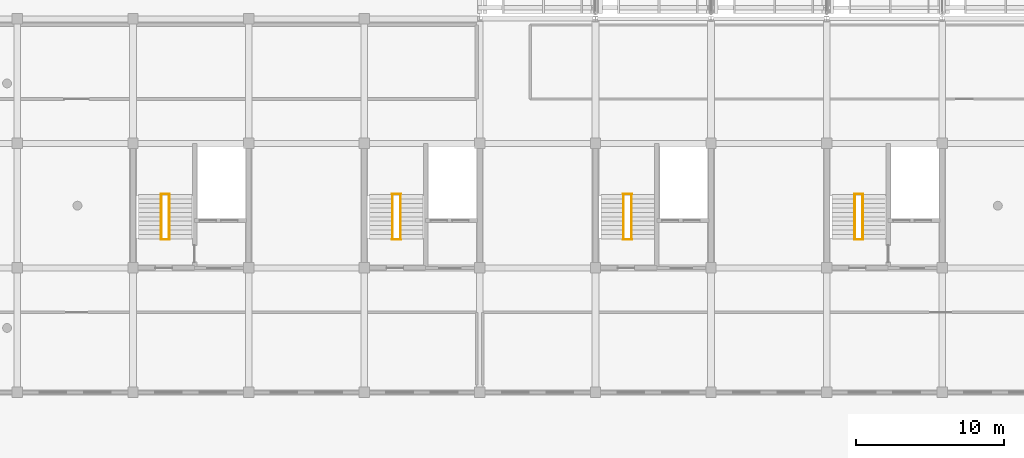
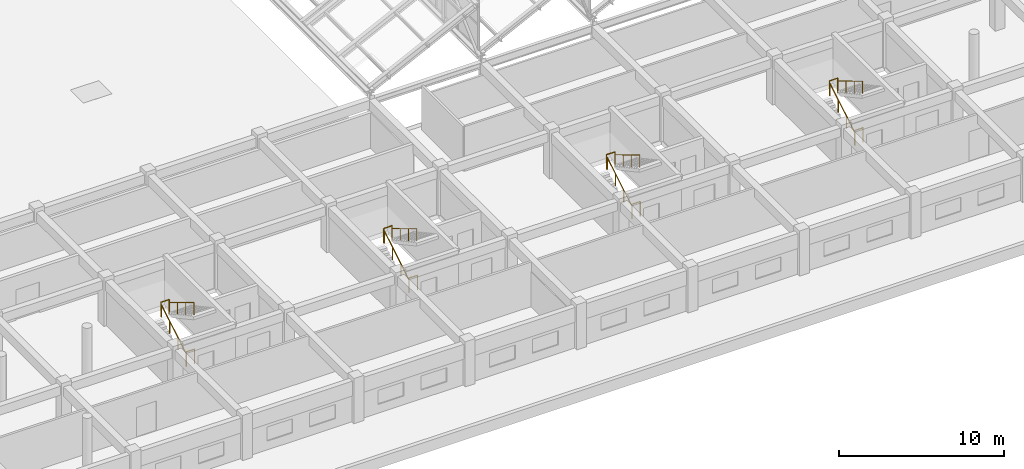
# One storey, part 99 of 101: 16 railings.
"""IFC4 building model written with IfcOpenShell, lengths in metres."""

from ifc_helpers import new_model, si_unit, direction, frame, origin, origin_2d, place, context, subcontext, project, spatial, circle, hollow_circle, extrude, material, material_profile, profile_set, type_object, element, save


model = new_model("IFC4")

# Units and contexts
model_context = context("Model", 3, precision=1e-05, world=origin(), true_north=direction((0.0, 1.0)))
body_context = subcontext(model_context, "Body", "Model", "MODEL_VIEW")
ifc_project = project(units=[si_unit("LENGTHUNIT", "METRE"), si_unit("AREAUNIT", "SQUARE_METRE"), si_unit("VOLUMEUNIT", "CUBIC_METRE"), si_unit("PLANEANGLEUNIT", "RADIAN"), si_unit("MASSUNIT", "GRAM", prefix="KILO")], contexts=[model_context])

# Site, building, storey
site_placement = place(None, origin())
site = spatial("IfcSite", under=ifc_project, at=site_placement, CompositionType="ELEMENT")
building_placement = place(site_placement, origin())
building = spatial("IfcBuilding", under=site, at=building_placement, Name="Zizhar Promenade General Hospital", CompositionType="ELEMENT")
storey_placement = place(building_placement, frame((0.0, 0.0, 14.39990234375)))
storey = spatial("IfcBuildingStorey", under=building, at=storey_placement, Name="L03", CompositionType="ELEMENT", Elevation=14.39990234375)

# Railings
ifc_material_1 = material(Name="Anodised aluminium 6063-T6", Category="aluminium")
ifc_material_profile_1 = material_profile(ifc_material_1, hollow_circle(Radius=0.06982421875, WallThickness=0.00634765625, at=origin_2d()))
ifc_profile_set_1 = profile_set([ifc_material_profile_1], Name="Anodised aluminium 6063-T6")
railing_type_1 = type_object("IfcRailingType", Name="RL-HANDRAIL-920", PredefinedType="HANDRAIL", material=ifc_profile_set_1)
railing_1_placement = place(storey_placement, frame((48.699951171875, 10.35009765625, 0.0)))
element("IfcRailing", 1, at=railing_1_placement, inside=storey, type_object=railing_type_1, Name="Stair ST-02 Flight 1 Handrail (L03)", PredefinedType="HANDRAIL", context=body_context, shape_type="SweptSolid", body=[
    extrude(circle(Radius=0.02392578125, at=origin_2d()), frame((0.0, 0.0, 0.89599609375), z_axis=(0.0, 0.857486768376, 0.514506017516), x_axis=(-1.0, 0.0, 0.0)), (0.0, 0.0, 1.0), 3.49853515625),
    extrude(circle(Radius=0.02099609375, at=origin_2d()), origin(), (0.0, 0.0, 1.0), 0.871826171875),
    extrude(circle(Radius=0.02099609375, at=origin_2d()), frame((0.0, 1.0, 0.60009765625)), (0.0, 0.0, 1.0), 0.871826171875),
    extrude(circle(Radius=0.02099609375, at=origin_2d()), frame((0.0, 2.0, 1.199951171875)), (0.0, 0.0, 1.0), 0.871826171875),
    extrude(circle(Radius=0.02099609375, at=origin_2d()), frame((0.0, 3.0, 1.800048828125)), (0.0, 0.0, 1.0), 0.871826171875),
])
railing_2_placement = place(storey_placement, frame((49.239990234375, 13.35009765625, 1.800048828125)))
element("IfcRailing", 2, at=railing_2_placement, inside=storey, type_object=railing_type_1, Name="Stair ST-02 Flight 2 Handrail (L03)", PredefinedType="HANDRAIL", context=body_context, shape_type="SweptSolid", body=[
    extrude(circle(Radius=0.02392578125, at=origin_2d()), frame((0.0, 0.0, 0.89599609375), z_axis=(0.0, -0.857486768376, 0.514506017516), x_axis=(1.0, 0.0, 0.0)), (0.0, 0.0, 1.0), 3.49853515625),
    extrude(circle(Radius=0.02099609375, at=origin_2d()), origin(), (0.0, 0.0, 1.0), 0.871826171875),
    extrude(circle(Radius=0.02099609375, at=origin_2d()), frame((0.0, -1.0, 0.60009765625)), (0.0, 0.0, 1.0), 0.871826171875),
    extrude(circle(Radius=0.02099609375, at=origin_2d()), frame((0.0, -2.0, 1.199951171875)), (0.0, 0.0, 1.0), 0.871826171875),
    extrude(circle(Radius=0.02099609375, at=origin_2d()), frame((0.0, -3.0, 1.800048828125)), (0.0, 0.0, 1.0), 0.871826171875),
])
railing_3_placement = place(storey_placement, frame((64.300048828125, 10.35009765625, 0.0)))
element("IfcRailing", 3, at=railing_3_placement, inside=storey, type_object=railing_type_1, Name="Stair ST-03 Flight 1 Handrail (L03)", PredefinedType="HANDRAIL", context=body_context, shape_type="SweptSolid", body=[
    extrude(circle(Radius=0.02392578125, at=origin_2d()), frame((0.0, 0.0, 0.89599609375), z_axis=(0.0, 0.857486768376, 0.514506017516), x_axis=(-1.0, 0.0, 0.0)), (0.0, 0.0, 1.0), 3.49853515625),
    extrude(circle(Radius=0.02099609375, at=origin_2d()), origin(), (0.0, 0.0, 1.0), 0.871826171875),
    extrude(circle(Radius=0.02099609375, at=origin_2d()), frame((0.0, 1.0, 0.60009765625)), (0.0, 0.0, 1.0), 0.871826171875),
    extrude(circle(Radius=0.02099609375, at=origin_2d()), frame((0.0, 2.0, 1.199951171875)), (0.0, 0.0, 1.0), 0.871826171875),
    extrude(circle(Radius=0.02099609375, at=origin_2d()), frame((0.0, 3.0, 1.800048828125)), (0.0, 0.0, 1.0), 0.871826171875),
])
railing_4_placement = place(storey_placement, frame((64.840087890625, 13.35009765625, 1.800048828125)))
element("IfcRailing", 4, at=railing_4_placement, inside=storey, type_object=railing_type_1, Name="Stair ST-03 Flight 2 Handrail (L03)", PredefinedType="HANDRAIL", context=body_context, shape_type="SweptSolid", body=[
    extrude(circle(Radius=0.02392578125, at=origin_2d()), frame((0.0, 0.0, 0.89599609375), z_axis=(0.0, -0.857486768376, 0.514506017516), x_axis=(1.0, 0.0, 0.0)), (0.0, 0.0, 1.0), 3.49853515625),
    extrude(circle(Radius=0.02099609375, at=origin_2d()), origin(), (0.0, 0.0, 1.0), 0.871826171875),
    extrude(circle(Radius=0.02099609375, at=origin_2d()), frame((0.0, -1.0, 0.60009765625)), (0.0, 0.0, 1.0), 0.871826171875),
    extrude(circle(Radius=0.02099609375, at=origin_2d()), frame((0.0, -2.0, 1.199951171875)), (0.0, 0.0, 1.0), 0.871826171875),
    extrude(circle(Radius=0.02099609375, at=origin_2d()), frame((0.0, -3.0, 1.800048828125)), (0.0, 0.0, 1.0), 0.871826171875),
])
railing_5_placement = place(storey_placement, frame((79.89990234375, 10.35009765625, 0.0)))
element("IfcRailing", 5, at=railing_5_placement, inside=storey, type_object=railing_type_1, Name="Stair ST-04 Flight 1 Handrail (L03)", PredefinedType="HANDRAIL", context=body_context, shape_type="SweptSolid", body=[
    extrude(circle(Radius=0.02392578125, at=origin_2d()), frame((0.0, 0.0, 0.89599609375), z_axis=(0.0, 0.857486768376, 0.514506017516), x_axis=(-1.0, 0.0, 0.0)), (0.0, 0.0, 1.0), 3.49853515625),
    extrude(circle(Radius=0.02099609375, at=origin_2d()), origin(), (0.0, 0.0, 1.0), 0.871826171875),
    extrude(circle(Radius=0.02099609375, at=origin_2d()), frame((0.0, 1.0, 0.60009765625)), (0.0, 0.0, 1.0), 0.871826171875),
    extrude(circle(Radius=0.02099609375, at=origin_2d()), frame((0.0, 2.0, 1.199951171875)), (0.0, 0.0, 1.0), 0.871826171875),
    extrude(circle(Radius=0.02099609375, at=origin_2d()), frame((0.0, 3.0, 1.800048828125)), (0.0, 0.0, 1.0), 0.871826171875),
])
railing_6_placement = place(storey_placement, frame((80.43994140625, 13.35009765625, 1.800048828125)))
element("IfcRailing", 6, at=railing_6_placement, inside=storey, type_object=railing_type_1, Name="Stair ST-04 Flight 2 Handrail (L03)", PredefinedType="HANDRAIL", context=body_context, shape_type="SweptSolid", body=[
    extrude(circle(Radius=0.02392578125, at=origin_2d()), frame((0.0, 0.0, 0.89599609375), z_axis=(0.0, -0.857486768376, 0.514506017516), x_axis=(1.0, 0.0, 0.0)), (0.0, 0.0, 1.0), 3.49853515625),
    extrude(circle(Radius=0.02099609375, at=origin_2d()), origin(), (0.0, 0.0, 1.0), 0.871826171875),
    extrude(circle(Radius=0.02099609375, at=origin_2d()), frame((0.0, -1.0, 0.60009765625)), (0.0, 0.0, 1.0), 0.871826171875),
    extrude(circle(Radius=0.02099609375, at=origin_2d()), frame((0.0, -2.0, 1.199951171875)), (0.0, 0.0, 1.0), 0.871826171875),
    extrude(circle(Radius=0.02099609375, at=origin_2d()), frame((0.0, -3.0, 1.800048828125)), (0.0, 0.0, 1.0), 0.871826171875),
])
railing_7_placement = place(storey_placement, frame((95.5, 10.35009765625, 0.0)))
element("IfcRailing", 7, at=railing_7_placement, inside=storey, type_object=railing_type_1, Name="Stair ST-05 Flight 1 Handrail (L03)", PredefinedType="HANDRAIL", context=body_context, shape_type="SweptSolid", body=[
    extrude(circle(Radius=0.02392578125, at=origin_2d()), frame((0.0, 0.0, 0.89599609375), z_axis=(0.0, 0.857486768376, 0.514506017516), x_axis=(-1.0, 0.0, 0.0)), (0.0, 0.0, 1.0), 3.49853515625),
    extrude(circle(Radius=0.02099609375, at=origin_2d()), origin(), (0.0, 0.0, 1.0), 0.871826171875),
    extrude(circle(Radius=0.02099609375, at=origin_2d()), frame((0.0, 1.0, 0.60009765625)), (0.0, 0.0, 1.0), 0.871826171875),
    extrude(circle(Radius=0.02099609375, at=origin_2d()), frame((0.0, 2.0, 1.199951171875)), (0.0, 0.0, 1.0), 0.871826171875),
    extrude(circle(Radius=0.02099609375, at=origin_2d()), frame((0.0, 3.0, 1.800048828125)), (0.0, 0.0, 1.0), 0.871826171875),
])
railing_8_placement = place(storey_placement, frame((96.0400390625, 13.35009765625, 1.800048828125)))
element("IfcRailing", 8, at=railing_8_placement, inside=storey, type_object=railing_type_1, Name="Stair ST-05 Flight 2 Handrail (L03)", PredefinedType="HANDRAIL", context=body_context, shape_type="SweptSolid", body=[
    extrude(circle(Radius=0.02392578125, at=origin_2d()), frame((0.0, 0.0, 0.89599609375), z_axis=(0.0, -0.857486768376, 0.514506017516), x_axis=(1.0, 0.0, 0.0)), (0.0, 0.0, 1.0), 3.49853515625),
    extrude(circle(Radius=0.02099609375, at=origin_2d()), origin(), (0.0, 0.0, 1.0), 0.871826171875),
    extrude(circle(Radius=0.02099609375, at=origin_2d()), frame((0.0, -1.0, 0.60009765625)), (0.0, 0.0, 1.0), 0.871826171875),
    extrude(circle(Radius=0.02099609375, at=origin_2d()), frame((0.0, -2.0, 1.199951171875)), (0.0, 0.0, 1.0), 0.871826171875),
    extrude(circle(Radius=0.02099609375, at=origin_2d()), frame((0.0, -3.0, 1.800048828125)), (0.0, 0.0, 1.0), 0.871826171875),
])
ifc_material_2 = material(Name="Steel S355", Category="steel")
ifc_material_profile_2 = material_profile(ifc_material_2, hollow_circle(Radius=0.06982421875, WallThickness=0.00634765625, at=origin_2d()))
ifc_profile_set_2 = profile_set([ifc_material_profile_2], Name="Steel S355")
railing_type_2 = type_object("IfcRailingType", Name="RL-STAIR-GUARD-1100", PredefinedType="GUARDRAIL", material=ifc_profile_set_2)
for number, where, name in (
    (9, (48.679931640625, 13.389892578125, 1.800048828125), "Stair ST-02 Half-Landing Guard (L03)"),
    (10, (48.679931640625, 10.31005859375, 0.0), "Stair ST-02 Landing Well Guard (L03)"),
    (11, (64.280029296875, 13.389892578125, 1.800048828125), "Stair ST-03 Half-Landing Guard (L03)"),
    (12, (64.280029296875, 10.31005859375, 0.0), "Stair ST-03 Landing Well Guard (L03)"),
    (13, (79.8798828125, 13.389892578125, 1.800048828125), "Stair ST-04 Half-Landing Guard (L03)"),
    (14, (79.8798828125, 10.31005859375, 0.0), "Stair ST-04 Landing Well Guard (L03)"),
    (15, (95.47998046875, 13.389892578125, 1.800048828125), "Stair ST-05 Half-Landing Guard (L03)"),
    (16, (95.47998046875, 10.31005859375, 0.0), "Stair ST-05 Landing Well Guard (L03)"),
):
    element("IfcRailing", number, at=place(storey_placement, frame(where)), inside=storey, type_object=railing_type_2, Name=name, PredefinedType="GUARDRAIL", context=body_context, shape_type="SweptSolid", body=[
        extrude(circle(Radius=0.02392578125, at=origin_2d()), frame((0.0, 0.0, 1.076171875), z_axis=(1.0, 0.0, 0.0), x_axis=(0.0, 1.0, 0.0)), (0.0, 0.0, 1.0), 0.580078125),
        extrude(circle(Radius=0.02099609375, at=origin_2d()), origin(), (0.0, 0.0, 1.0), 1.052001953125),
        extrude(circle(Radius=0.02099609375, at=origin_2d()), frame((0.580078125, 0.0, 0.0)), (0.0, 0.0, 1.0), 1.052001953125),
    ])

save(model, "model.ifc")
